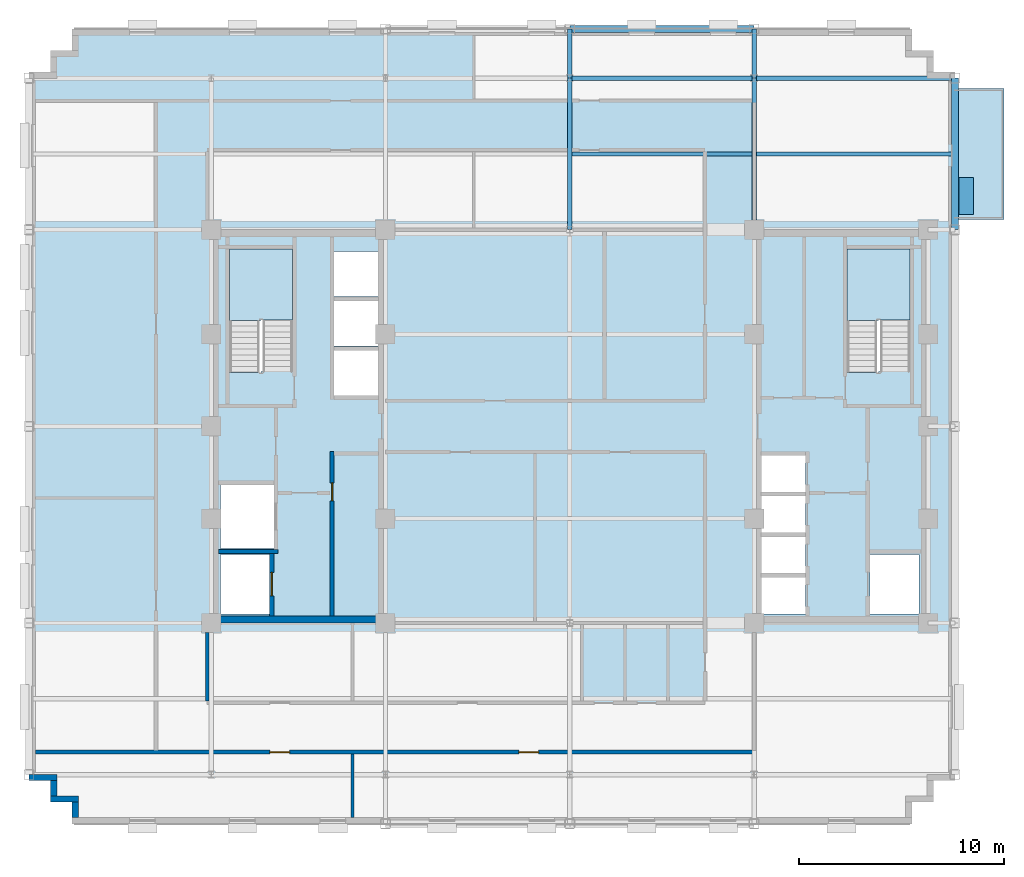
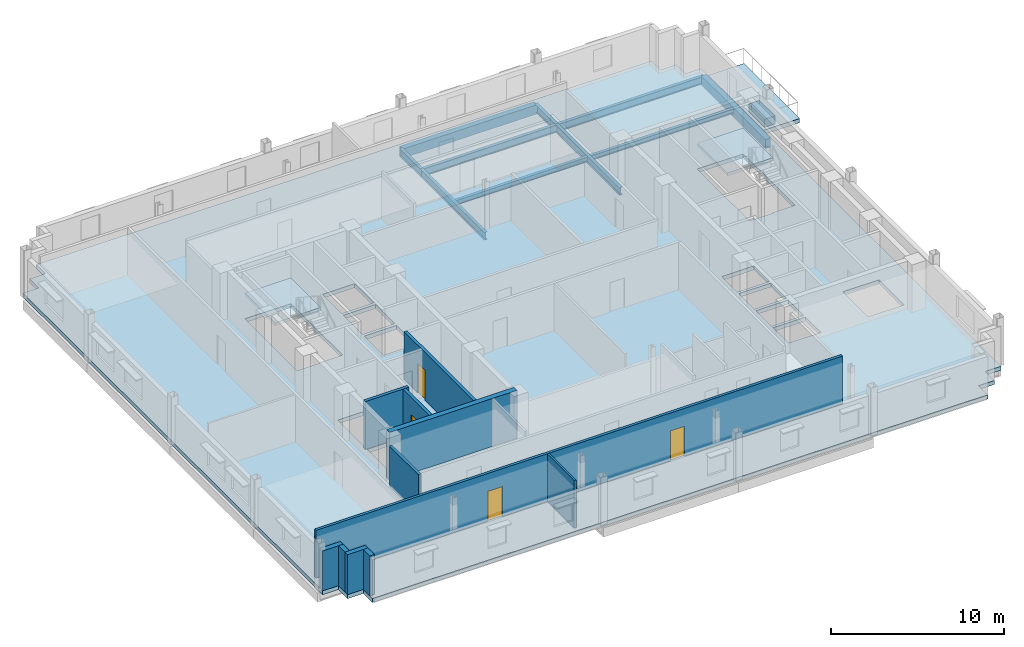
# One storey, part 5 of 13: 11 walls, 10 beams, 4 doors, 4 slabs, 1 plate, 4 openings, 2 elements without a shape of their own.
"""IFC4 building model written with IfcOpenShell, lengths in metres."""

from ifc_helpers import new_model, si_unit, direction, frame, frame_2d, origin, origin_2d, place, context, subcontext, project, spatial, polyline, rectangle, i_section, outline, extrude, source, transform, mapped, material, layer, layer_set, material_profile, profile_set, type_object, type_shapes, element, fill, aggregate, save


model = new_model("IFC4")

# Units and contexts
model_context = context("Model", 3, precision=1e-05, world=origin(), true_north=direction((0.0, 1.0)))
body_context = subcontext(model_context, "Body", "Model", "MODEL_VIEW")
ifc_project = project(units=[si_unit("LENGTHUNIT", "METRE"), si_unit("AREAUNIT", "SQUARE_METRE"), si_unit("VOLUMEUNIT", "CUBIC_METRE"), si_unit("PLANEANGLEUNIT", "RADIAN"), si_unit("MASSUNIT", "GRAM", prefix="KILO")], contexts=[model_context])

# Site, building, storey
site_placement = place(None, origin())
site = spatial("IfcSite", under=ifc_project, at=site_placement, CompositionType="ELEMENT")
building_placement = place(site_placement, origin())
building = spatial("IfcBuilding", under=site, at=building_placement, Name="Nuvemarco Arch Tower", CompositionType="ELEMENT")
storey_placement = place(building_placement, frame((0.0, 0.0, 212.800048828125)))
storey = spatial("IfcBuildingStorey", under=building, at=storey_placement, Name="L56", CompositionType="ELEMENT", Elevation=212.800048828125)

# Beams
ifc_material_1 = material(Name="Steel S355", Category="steel")
ifc_material_profile_1 = material_profile(ifc_material_1, i_section(OverallWidth=0.2109375, OverallDepth=0.5390625, WebThickness=0.01171875, FlangeThickness=0.018798828125, FilletRadius=0.01611328125, at=origin_2d()), Name="W530x109")
ifc_profile_set_1 = profile_set([ifc_material_profile_1], Name="Steel S355")
beam_type_1 = type_object("IfcBeamType", Name="BM-GIRD-530", PredefinedType="BEAM", material=ifc_profile_set_1)
beam_1_placement = place(storey_placement, frame((0.0, 9.60009765625, -0.549560546875), z_axis=(0.0, 1.0, 0.0), x_axis=(-1.0, 0.0, 0.0)))
element("IfcBeam", 1, at=beam_1_placement, inside=storey, type_object=beam_type_1, Name="L56 structural beam BGNS_L56_0_+0.0_+9.6", PredefinedType="BEAM", context=body_context, shape_type="SweptSolid", body=[
    extrude(i_section(OverallWidth=0.2109375, OverallDepth=0.5390625, WebThickness=0.01171875, FlangeThickness=0.018798828125, FilletRadius=0.01611328125, at=origin_2d()), origin(), (0.0, 0.0, 1.0), 7.39990234375),
])
beam_2_placement = place(storey_placement, frame((0.0, 17.0, -0.549560546875), z_axis=(0.0, 1.0, 0.0), x_axis=(-1.0, 0.0, 0.0)))
element("IfcBeam", 2, at=beam_2_placement, inside=storey, type_object=beam_type_1, Name="L56 structural beam BGNS_L56_0_+0.0_+17.0", PredefinedType="BEAM", context=body_context, shape_type="SweptSolid", body=[
    extrude(i_section(OverallWidth=0.2109375, OverallDepth=0.5390625, WebThickness=0.01171875, FlangeThickness=0.018798828125, FilletRadius=0.01611328125, at=origin_2d()), origin(), (0.0, 0.0, 1.0), 2.39990234375),
])
beam_3_placement = place(storey_placement, frame((9.0, 9.60009765625, -0.549560546875), z_axis=(0.0, 1.0, 0.0), x_axis=(-1.0, 0.0, 0.0)))
element("IfcBeam", 3, at=beam_3_placement, inside=storey, type_object=beam_type_1, Name="L56 structural beam BGNS_L56_0_+9.0_+9.6", PredefinedType="BEAM", context=body_context, shape_type="SweptSolid", body=[
    extrude(i_section(OverallWidth=0.2109375, OverallDepth=0.5390625, WebThickness=0.01171875, FlangeThickness=0.018798828125, FilletRadius=0.01611328125, at=origin_2d()), origin(), (0.0, 0.0, 1.0), 7.39990234375),
])
beam_4_placement = place(storey_placement, frame((9.0, 17.0, -0.549560546875), z_axis=(0.0, 1.0, 0.0), x_axis=(-1.0, 0.0, 0.0)))
element("IfcBeam", 4, at=beam_4_placement, inside=storey, type_object=beam_type_1, Name="L56 structural beam BGNS_L56_0_+9.0_+17.0", PredefinedType="BEAM", context=body_context, shape_type="SweptSolid", body=[
    extrude(i_section(OverallWidth=0.2109375, OverallDepth=0.5390625, WebThickness=0.01171875, FlangeThickness=0.018798828125, FilletRadius=0.01611328125, at=origin_2d()), origin(), (0.0, 0.0, 1.0), 2.39990234375),
])
beam_5_placement = place(storey_placement, frame((0.0, 17.0, -0.549560546875), z_axis=(1.0, 0.0, 0.0), x_axis=(0.0, 1.0, 0.0)))
element("IfcBeam", 5, at=beam_5_placement, inside=storey, type_object=beam_type_1, Name="L56 structural beam BGEW_L56_0_+17.0_+0.0", PredefinedType="BEAM", context=body_context, shape_type="SweptSolid", body=[
    extrude(i_section(OverallWidth=0.2109375, OverallDepth=0.5390625, WebThickness=0.01171875, FlangeThickness=0.018798828125, FilletRadius=0.01611328125, at=origin_2d()), origin(), (0.0, 0.0, 1.0), 9.0),
])
beam_6_placement = place(storey_placement, frame((9.0, 17.0, -0.549560546875), z_axis=(1.0, 0.0, 0.0), x_axis=(0.0, 1.0, 0.0)))
element("IfcBeam", 6, at=beam_6_placement, inside=storey, type_object=beam_type_1, Name="L56 structural beam BGEW_L56_0_+17.0_+9.0", PredefinedType="BEAM", context=body_context, shape_type="SweptSolid", body=[
    extrude(i_section(OverallWidth=0.2109375, OverallDepth=0.5390625, WebThickness=0.01171875, FlangeThickness=0.018798828125, FilletRadius=0.01611328125, at=origin_2d()), origin(), (0.0, 0.0, 1.0), 9.800048828125),
])
ifc_material_profile_2 = material_profile(ifc_material_1, i_section(OverallWidth=0.202880859375, OverallDepth=0.346923828125, WebThickness=0.0078125, FlangeThickness=0.013427734375, FilletRadius=0.014892578125, at=origin_2d()), Name="W360x64")
ifc_profile_set_2 = profile_set([ifc_material_profile_2], Name="Steel S355")
beam_type_2 = type_object("IfcBeamType", Name="BM-JOIST-360", PredefinedType="JOIST", material=ifc_profile_set_2)
beam_7_placement = place(storey_placement, frame((0.10546875, 13.300048828125, -0.45361328125), z_axis=(1.0, 0.0, 0.0), x_axis=(0.0, 1.0, 0.0)))
element("IfcBeam", 7, at=beam_7_placement, inside=storey, type_object=beam_type_2, Name="L56 structural beam BJ_L56_0_+13.3_+0.0", PredefinedType="JOIST", context=body_context, shape_type="SweptSolid", body=[
    extrude(i_section(OverallWidth=0.202880859375, OverallDepth=0.346923828125, WebThickness=0.0078125, FlangeThickness=0.013427734375, FilletRadius=0.014892578125, at=origin_2d()), origin(), (0.0, 0.0, 1.0), 8.7890625),
])
beam_8_placement = place(storey_placement, frame((9.10546875, 13.300048828125, -0.45361328125), z_axis=(1.0, 0.0, 0.0), x_axis=(0.0, 1.0, 0.0)))
element("IfcBeam", 8, at=beam_8_placement, inside=storey, type_object=beam_type_2, Name="L56 structural beam BJ_L56_0_+13.3_+9.0", PredefinedType="JOIST", context=body_context, shape_type="SweptSolid", body=[
    extrude(i_section(OverallWidth=0.202880859375, OverallDepth=0.346923828125, WebThickness=0.0078125, FlangeThickness=0.013427734375, FilletRadius=0.014892578125, at=origin_2d()), origin(), (0.0, 0.0, 1.0), 9.51953125),
])
ifc_material_2 = material(Name="Precast concrete C45/55", Category="concrete")
ifc_material_profile_3 = material_profile(ifc_material_2, rectangle(XDim=0.35009765625, YDim=0.64990234375, at=origin_2d()), Name="PC-SP-350x650")
ifc_profile_set_3 = profile_set([ifc_material_profile_3], Name="Precast concrete C45/55")
beam_type_3 = type_object("IfcBeamType", Name="BM-SPAN-RC", PredefinedType="SPANDREL", material=ifc_profile_set_3)
beam_9_placement = place(storey_placement, frame((18.800048828125, 9.60009765625, -0.60498046875), z_axis=(0.0, 1.0, 0.0), x_axis=(-1.0, 0.0, 0.0)))
element("IfcBeam", 9, at=beam_9_placement, inside=storey, type_object=beam_type_3, Name="L56 structural beam BGNS_L56_0_+18.8_+9.6", PredefinedType="SPANDREL", context=body_context, shape_type="SweptSolid", body=[
    extrude(rectangle(XDim=0.35009765625, YDim=0.64990234375, at=origin_2d()), origin(), (0.0, 0.0, 1.0), 7.39990234375),
])
beam_10_placement = place(storey_placement, frame((0.0, 19.39990234375, -0.60498046875), z_axis=(1.0, 0.0, 0.0), x_axis=(0.0, 1.0, 0.0)))
element("IfcBeam", 10, at=beam_10_placement, inside=storey, type_object=beam_type_3, Name="L56 structural beam BGEW_L56_0_+19.4_+0.0", PredefinedType="SPANDREL", context=body_context, shape_type="SweptSolid", body=[
    extrude(rectangle(XDim=0.35009765625, YDim=0.64990234375, at=origin_2d()), origin(), (0.0, 0.0, 1.0), 9.0),
])

# Slab
ifc_material_3 = material(Name="Concrete C50/60", Category="concrete")
ifc_layer_1 = layer(ifc_material_3, 0.280029296875, Name="SL-FLR-280")
ifc_layer_set_1 = layer_set([ifc_layer_1], Name="Concrete C50/60")
slab_type_1 = type_object("IfcSlabType", Name="SL-FLR-280", PredefinedType="FLOOR", material=ifc_layer_set_1)
slab_1_placement = place(storey_placement, frame((0.0, 0.0, -0.280029296875)))
element("IfcSlab", 11, at=slab_1_placement, inside=storey, type_object=slab_type_1, Name="L56 structural floor slab", PredefinedType="FLOOR", context=body_context, shape_type="SweptSolid", body=[
    extrude(outline(polyline([(-24.300048828125, -19.39990234375), (16.699951171875, -19.39990234375), (16.699951171875, -18.35009765625), (17.75, -18.35009765625), (17.75, -17.300048828125), (18.800048828125, -17.300048828125), (18.800048828125, 17.300048828125), (17.75, 17.300048828125), (17.75, 18.35009765625), (16.699951171875, 18.35009765625), (16.699951171875, 19.39990234375), (-24.300048828125, 19.39990234375), (-24.300048828125, 18.35009765625), (-25.35009765625, 18.35009765625), (-25.35009765625, 17.300048828125), (-26.39990234375, 17.300048828125), (-26.39990234375, -17.300048828125), (-25.35009765625, -17.300048828125), (-25.35009765625, -18.35009765625), (-24.300048828125, -18.35009765625), (-24.300048828125, -19.39990234375)]), holes=[polyline([(-13.5400390625, 2.669921875), (-13.5400390625, 8.64990234375), (-16.60009765625, 8.64990234375), (-16.60009765625, 2.630615234375), (-15.070068359375, 2.630615234375), (-15.070068359375, 2.669921875), (-13.5400390625, 2.669921875)]), polyline([(16.60009765625, 2.669921875), (16.60009765625, 8.64990234375), (13.5400390625, 8.64990234375), (13.5400390625, 2.630615234375), (15.070068359375, 2.630615234375), (15.070068359375, 2.669921875), (16.60009765625, 2.669921875)]), polyline([(-17.050048828125, -9.14990234375), (-14.64990234375, -9.14990234375), (-14.64990234375, -6.25), (-17.050048828125, -6.25), (-17.050048828125, -9.14990234375)]), polyline([(-17.050048828125, -5.949951171875), (-14.449951171875, -5.949951171875), (-14.449951171875, -2.85009765625), (-17.050048828125, -2.85009765625), (-17.050048828125, -5.949951171875)]), polyline([(-11.5, 1.5), (-9.35009765625, 1.5), (-9.35009765625, 3.699951171875), (-11.5, 3.699951171875), (-11.5, 1.5)]), polyline([(-11.5, 3.919921875), (-9.35009765625, 3.919921875), (-9.35009765625, 6.1201171875), (-11.5, 6.1201171875), (-11.5, 3.919921875)]), polyline([(-11.5, 6.340087890625), (-9.35009765625, 6.340087890625), (-9.35009765625, 8.5400390625), (-11.5, 8.5400390625), (-11.5, 6.340087890625)]), polyline([(14.64990234375, -9.14990234375), (17.050048828125, -9.14990234375), (17.050048828125, -6.25), (14.64990234375, -6.25), (14.64990234375, -9.14990234375)]), polyline([(9.35009765625, -9.14990234375), (11.5, -9.14990234375), (11.5, -7.3701171875), (9.35009765625, -7.3701171875), (9.35009765625, -9.14990234375)]), polyline([(9.35009765625, -7.169921875), (11.5, -7.169921875), (11.5, -5.389892578125), (9.35009765625, -5.389892578125), (9.35009765625, -7.169921875)]), polyline([(9.35009765625, -5.18994140625), (11.5, -5.18994140625), (11.5, -3.409912109375), (9.35009765625, -3.409912109375), (9.35009765625, -5.18994140625)]), polyline([(9.35009765625, -3.2099609375), (11.5, -3.2099609375), (11.5, -1.429931640625), (9.35009765625, -1.429931640625), (9.35009765625, -3.2099609375)])]), origin(), (0.0, 0.0, 1.0), 0.280029296875),
])

# Stair, slab
stair_type = type_object("IfcStairType", Name="ST-CORE-20R", PredefinedType="HALF_TURN_STAIR", material=ifc_material_2)
stair_1_placement = place(storey_placement, origin())
stair_1 = element("IfcStair", 12, at=stair_1_placement, inside=storey, type_object=stair_type, Name="L56 Protected Exit Stair ST-1", PredefinedType="HALF_TURN_STAIR")
ifc_layer_2 = layer(ifc_material_2, 0.199951171875, Name="SL-LANDING-200")
ifc_layer_set_2 = layer_set([ifc_layer_2], Name="Precast concrete C45/55")
slab_type_2 = type_object("IfcSlabType", Name="SL-LANDING-200", PredefinedType="LANDING", material=ifc_layer_set_2)
slab_2_placement = place(storey_placement, frame((0.0, 0.0, 1.625)))
slab_2 = element("IfcSlab", 13, at=slab_2_placement, type_object=slab_type_2, Name="ST-20R landing 1", PredefinedType="LANDING", context=body_context, shape_type="SweptSolid", body=[
    extrude(outline(polyline([(-13.5400390625, 5.189453125), (-13.5400390625, 8.64990234375), (-16.60009765625, 8.64990234375), (-16.60009765625, 5.169921875), (-15.070068359375, 5.169921875), (-15.070068359375, 5.189453125), (-13.5400390625, 5.189453125)])), origin(), (0.0, 0.0, 1.0), 0.199951171875),
])
aggregate(stair_1, [slab_2])

stair_2_placement = place(storey_placement, origin())
stair_2 = element("IfcStair", 14, at=stair_2_placement, inside=storey, type_object=stair_type, Name="L56 Protected Exit Stair ST-2", PredefinedType="HALF_TURN_STAIR")
slab_3_placement = place(storey_placement, frame((0.0, 0.0, 1.625)))
slab_3 = element("IfcSlab", 15, at=slab_3_placement, type_object=slab_type_2, Name="ST-20R landing 1", PredefinedType="LANDING", context=body_context, shape_type="SweptSolid", body=[
    extrude(outline(polyline([(16.60009765625, 5.189453125), (16.60009765625, 8.64990234375), (13.5400390625, 8.64990234375), (13.5400390625, 5.169921875), (15.070068359375, 5.169921875), (15.070068359375, 5.189453125), (16.60009765625, 5.189453125)])), origin(), (0.0, 0.0, 1.0), 0.199951171875),
])
aggregate(stair_2, [slab_3])

# Slab
ifc_layer_3 = layer(ifc_material_3, 0.294921875, Name="SL-TR4")
ifc_layer_set_3 = layer_set([ifc_layer_3], Name="Concrete C50/60")
slab_type_3 = type_object("IfcSlabType", Name="SL-TR4", PredefinedType="FLOOR", material=ifc_layer_set_3)
slab_4_placement = place(storey_placement, frame((0.0, 0.0, -0.295166015625)))
element("IfcSlab", 16, at=slab_4_placement, inside=storey, type_object=slab_type_3, Name="L56 outdoor spiral terrace slab 1", PredefinedType="FLOOR", context=body_context, shape_type="SweptSolid", body=[
    extrude(outline(polyline([(18.800048828125, 10.10009765625), (21.199951171875, 10.10009765625), (21.199951171875, 16.5), (18.800048828125, 16.5), (18.800048828125, 10.10009765625)])), origin(), (0.0, 0.0, 1.0), 0.295166015625),
])

# Plate
ifc_layer_4 = layer(ifc_material_2, 0.550048828125, Name="Tree Balcony Structural Planter")
ifc_layer_set_4 = layer_set([ifc_layer_4], Name="Precast concrete C45/55")
plate_type = type_object("IfcPlateType", Name="Tree Balcony Structural Planter", PredefinedType="USERDEFINED", material=ifc_layer_set_4)
shared_shape_1 = source(origin(), body_context, "Body", "SweptSolid", [
    extrude(rectangle(XDim=1.800048828125, YDim=0.699951171875, at=origin_2d()), origin(), (0.0, 0.0, 1.0), 0.550048828125),
])
type_shapes(plate_type, [shared_shape_1])
plate_placement = place(storey_placement, frame((19.35009765625, 11.25, 0.0), z_axis=(0.0, 0.0, 1.0), x_axis=(0.0, 1.0, 0.0)))
element("IfcPlate", 17, at=plate_placement, inside=storey, type_object=plate_type, Name="L56 Tree Balcony Structural Planter", ObjectType="PLANTER", PredefinedType="USERDEFINED", context=body_context, shape_type="MappedRepresentation", body=[
    mapped(shared_shape_1, transform((0.0, 0.0, 0.0), scale=1.0)),
])

# Walls
ifc_layer_5 = layer(ifc_material_2, 0.31005859375, Name="EW-UPP-310")
ifc_layer_set_5 = layer_set([ifc_layer_5], Name="Precast concrete C45/55")
wall_type_1 = type_object("IfcWallType", Name="EW-UPP-310", PredefinedType="STANDARD", material=ifc_layer_set_5)
wall_1_placement = place(storey_placement, frame((-26.39990234375, -17.14501953125, 0.0), z_axis=(0.0, 0.0, 1.0), x_axis=(1.0, 0.0, 0.0)))
element("IfcWall", 18, at=wall_1_placement, inside=storey, type_object=wall_type_1, Name="L56 exterior precast facade wall 17", PredefinedType="STANDARD", context=body_context, shape_type="SweptSolid", body=[
    extrude(rectangle(XDim=1.35986328125, YDim=0.31005859375, at=frame_2d((0.679931640625, 0.0))), origin(), (0.0, 0.0, 1.0), 2.81591796875),
])
wall_2_placement = place(storey_placement, frame((-25.195068359375, -18.0439453125, 0.0), z_axis=(0.0, 0.0, 1.0), x_axis=(0.0, 1.0, 0.0)))
element("IfcWall", 19, at=wall_2_placement, inside=storey, type_object=wall_type_1, Name="L56 exterior precast facade wall 18", PredefinedType="STANDARD", context=body_context, shape_type="SweptSolid", body=[
    extrude(rectangle(XDim=0.748046875, YDim=0.31005859375, at=frame_2d((0.3740234375, 0.0))), origin(), (0.0, 0.0, 1.0), 2.81591796875),
])
wall_3_placement = place(storey_placement, frame((-25.35009765625, -18.195068359375, 0.0), z_axis=(0.0, 0.0, 1.0), x_axis=(1.0, 0.0, 0.0)))
element("IfcWall", 20, at=wall_3_placement, inside=storey, type_object=wall_type_1, Name="L56 exterior precast facade wall 19", PredefinedType="STANDARD", context=body_context, shape_type="SweptSolid", body=[
    extrude(rectangle(XDim=1.360107421875, YDim=0.31005859375, at=frame_2d((0.68017578125, 0.0))), origin(), (0.0, 0.0, 1.0), 2.81591796875),
])
wall_4_placement = place(storey_placement, frame((-24.14501953125, -19.093994140625, 0.0), z_axis=(0.0, 0.0, 1.0), x_axis=(0.0, 1.0, 0.0)))
element("IfcWall", 21, at=wall_4_placement, inside=storey, type_object=wall_type_1, Name="L56 exterior precast facade wall 20", PredefinedType="STANDARD", context=body_context, shape_type="SweptSolid", body=[
    extrude(rectangle(XDim=0.748046875, YDim=0.31005859375, at=frame_2d((0.3740234375, 0.0))), origin(), (0.0, 0.0, 1.0), 2.81591796875),
])
ifc_layer_6 = layer(ifc_material_3, 0.35009765625, Name="WL-CORE-350")
ifc_layer_set_6 = layer_set([ifc_layer_6], Name="Concrete C50/60")
wall_type_2 = type_object("IfcWallType", Name="WL-CORE-350", PredefinedType="SHEAR", material=ifc_layer_set_6)
wall_5_placement = place(storey_placement, frame((-17.5, -9.425048828125, 0.0), z_axis=(0.0, 0.0, 1.0), x_axis=(1.0, 0.0, 0.0)))
element("IfcWall", 22, at=wall_5_placement, inside=storey, type_object=wall_type_2, Name="L56 W-core shear wall S", PredefinedType="SHEAR", context=body_context, shape_type="SweptSolid", body=[
    extrude(rectangle(XDim=8.5, YDim=0.35009765625, at=frame_2d((4.25, 0.0))), origin(), (0.0, 0.0, 1.0), 3.369873046875),
])

# Wall, openings, doors
ifc_material_4 = material(Name="Fire-rated gypsum drywall partition")
ifc_layer_7 = layer(ifc_material_4, 0.179931640625, Name="WL-CORR-180")
ifc_layer_set_7 = layer_set([ifc_layer_7], Name="Fire-rated gypsum drywall partition")
wall_type_3 = type_object("IfcWallType", Name="WL-CORR-180", PredefinedType="PARTITIONING", material=ifc_layer_set_7)
wall_6_placement = place(storey_placement, frame((-26.090087890625, -15.89990234375, 0.0), z_axis=(0.0, 0.0, 1.0), x_axis=(1.0, 0.0, 0.0)))
wall_6 = element("IfcWall", 23, at=wall_6_placement, inside=storey, type_object=wall_type_3, Name="L56 interior wall IW-L56-001", PredefinedType="PARTITIONING", context=body_context, shape_type="SweptSolid", body=[
    extrude(rectangle(XDim=35.090087890625, YDim=0.179931640625, at=frame_2d((17.544921875, 0.0))), origin(), (0.0, 0.0, 1.0), 3.35986328125),
])
opening_1_placement = place(wall_6_placement, frame((23.60498046875, 0.0, 0.0)))
opening_1 = element("IfcOpeningElement", 24, at=opening_1_placement, cuts=wall_6, Name="Opening FD-5", PredefinedType="OPENING", context=body_context, shape_type="SweptSolid", body=[
    extrude(rectangle(XDim=0.9599609375, YDim=2.10009765625, at=frame_2d((0.47998046875, 1.050048828125))), frame((0.0, 0.099853515625, 0.0), z_axis=(0.0, -1.0, 0.0), x_axis=(1.0, 0.0, 0.0)), (0.0, 0.0, 1.0), 0.199951171875),
])
opening_2_placement = place(wall_6_placement, frame((11.455078125, 0.0, 0.0)))
opening_2 = element("IfcOpeningElement", 25, at=opening_2_placement, cuts=wall_6, Name="Opening FD-5", PredefinedType="OPENING", context=body_context, shape_type="SweptSolid", body=[
    extrude(rectangle(XDim=0.9599609375, YDim=2.10009765625, at=frame_2d((0.47998046875, 1.050048828125))), frame((0.0, 0.099853515625, 0.0), z_axis=(0.0, -1.0, 0.0), x_axis=(1.0, 0.0, 0.0)), (0.0, 0.0, 1.0), 0.199951171875),
])
ifc_material_5 = material(Name="Timber fire door", Category="wood")
door_type_1 = type_object("IfcDoorType", Name="DR-CORR-FD", OperationType="NOTDEFINED", PredefinedType="DOOR", material=ifc_material_5)
shared_shape_2 = source(origin(), body_context, "Body", "SweptSolid", [
    extrude(rectangle(XDim=0.9599609375, YDim=2.10009765625, at=frame_2d((0.47998046875, 1.050048828125))), frame((0.0, 0.02490234375, 0.0), z_axis=(0.0, -1.0, 0.0), x_axis=(1.0, 0.0, 0.0)), (0.0, 0.0, 1.0), 0.050048828125),
])
type_shapes(door_type_1, [shared_shape_2])
door_1_placement = place(opening_1_placement, origin())
door_1 = element("IfcDoor", 26, at=door_1_placement, inside=storey, type_object=door_type_1, Name="L56 door DR-L56-S_2", OperationType="SINGLE_SWING_RIGHT", OverallHeight=2.10009765625, OverallWidth=0.9599609375, PredefinedType="DOOR", context=body_context, shape_type="MappedRepresentation", body=[
    mapped(shared_shape_2, transform((0.0, 0.0, 0.0), scale=1.0)),
])
fill(opening_1, door_1)
door_2_placement = place(opening_2_placement, origin())
door_2 = element("IfcDoor", 27, at=door_2_placement, inside=storey, type_object=door_type_1, Name="L56 door DR-L56-S_1", OperationType="SINGLE_SWING_RIGHT", OverallHeight=2.10009765625, OverallWidth=0.9599609375, PredefinedType="DOOR", context=body_context, shape_type="MappedRepresentation", body=[
    mapped(shared_shape_2, transform((0.0, 0.0, 0.0), scale=1.0)),
])
fill(opening_2, door_2)

# Walls
wall_7_placement = place(storey_placement, frame((-17.699951171875, -13.4140625, 0.0), z_axis=(0.0, 0.0, 1.0), x_axis=(0.0, 1.0, 0.0)))
element("IfcWall", 28, at=wall_7_placement, inside=storey, type_object=wall_type_3, Name="L56 interior wall IW-L56-013", PredefinedType="PARTITIONING", context=body_context, shape_type="SweptSolid", body=[
    extrude(rectangle(XDim=3.343017578125, YDim=0.179931640625, at=frame_2d((1.67138671875, 0.0))), origin(), (0.0, 0.0, 1.0), 2.81591796875),
])
ifc_material_6 = material(Name="Gypsum plasterboard partition")
ifc_layer_8 = layer(ifc_material_6, 0.139892578125, Name="WL-ROOM-140")
ifc_layer_set_8 = layer_set([ifc_layer_8], Name="Gypsum plasterboard partition")
wall_type_4 = type_object("IfcWallType", Name="WL-ROOM-140", PredefinedType="PARTITIONING", material=ifc_layer_set_8)
wall_8_placement = place(storey_placement, frame((-10.610107421875, -19.090087890625, 0.0), z_axis=(0.0, 0.0, 1.0), x_axis=(0.0, 1.0, 0.0)))
element("IfcWall", 29, at=wall_8_placement, inside=storey, type_object=wall_type_4, Name="L56 interior wall IW-L56-015", PredefinedType="PARTITIONING", context=body_context, shape_type="SweptSolid", body=[
    extrude(rectangle(XDim=3.10400390625, YDim=0.139892578125, at=frame_2d((1.552001953125, 0.0))), origin(), (0.0, 0.0, 1.0), 3.35986328125),
])

# Wall, opening, door
ifc_layer_9 = layer(ifc_material_3, 0.199951171875, Name="WL-SHAFT-220")
ifc_layer_set_9 = layer_set([ifc_layer_9], Name="Concrete C50/60")
wall_type_5 = type_object("IfcWallType", Name="WL-SHAFT-220", PredefinedType="SHEAR", material=ifc_layer_set_9)
wall_9_placement = place(storey_placement, frame((-14.550048828125, -9.2548828125, 0.0), z_axis=(0.0, 0.0, 1.0), x_axis=(0.0, 1.0, 0.0)))
wall_9 = element("IfcWall", 30, at=wall_9_placement, inside=storey, type_object=wall_type_5, Name="L56 structural shaft wall SW-L56-W-SHE", PredefinedType="SHEAR", context=body_context, shape_type="SweptSolid", body=[
    extrude(rectangle(XDim=3.059814453125, YDim=0.199951171875, at=frame_2d((1.52978515625, 0.0))), origin(), (0.0, 0.0, 1.0), 3.369873046875),
])
opening_3_placement = place(wall_9_placement, frame((0.97998046875, 0.0, 0.0)))
opening_3 = element("IfcOpeningElement", 31, at=opening_3_placement, cuts=wall_9, Name="Opening LD-2", PredefinedType="OPENING", context=body_context, shape_type="SweptSolid", body=[
    extrude(rectangle(XDim=1.14990234375, YDim=2.14990234375, at=frame_2d((0.574951171875, 1.074951171875))), frame((0.0, 0.10986328125, 0.0), z_axis=(0.0, -1.0, 0.0), x_axis=(1.0, 0.0, 0.0)), (0.0, 0.0, 1.0), 0.219970703125),
])
ifc_material_7 = material(Name="Stainless steel lift door", Category="steel")
door_type_2 = type_object("IfcDoorType", Name="DR-LIFT-FIRE", OperationType="DOUBLE_DOOR_SLIDING", PredefinedType="DOOR", material=ifc_material_7)
shared_shape_3 = source(origin(), body_context, "Body", "SweptSolid", [
    extrude(rectangle(XDim=1.14990234375, YDim=2.14990234375, at=frame_2d((0.574951171875, 1.074951171875))), frame((0.0, 0.02490234375, 0.0), z_axis=(0.0, -1.0, 0.0), x_axis=(1.0, 0.0, 0.0)), (0.0, 0.0, 1.0), 0.050048828125),
])
type_shapes(door_type_2, [shared_shape_3])
door_3_placement = place(opening_3_placement, origin())
door_3 = element("IfcDoor", 32, at=door_3_placement, inside=storey, type_object=door_type_2, Name="L56 Lift landing sliding door FFL-1", OperationType="DOUBLE_DOOR_SLIDING", OverallHeight=2.14990234375, OverallWidth=1.14990234375, PredefinedType="DOOR", context=body_context, shape_type="MappedRepresentation", body=[
    mapped(shared_shape_3, transform((0.0, 0.0, 0.0), scale=1.0)),
])
fill(opening_3, door_3)

# Wall
wall_10_placement = place(storey_placement, frame((-17.155029296875, -6.10009765625, 0.0), z_axis=(0.0, 0.0, 1.0), x_axis=(1.0, 0.0, 0.0)))
element("IfcWall", 33, at=wall_10_placement, inside=storey, type_object=wall_type_5, Name="L56 structural shaft wall SW-L56-W-SH1", PredefinedType="SHEAR", context=body_context, shape_type="SweptSolid", body=[
    extrude(rectangle(XDim=2.905029296875, YDim=0.199951171875, at=frame_2d((1.45263671875, 0.0))), origin(), (0.0, 0.0, 1.0), 3.369873046875),
])

# Wall, opening, door
wall_11_placement = place(storey_placement, frame((-11.60009765625, -9.2548828125, 0.0), z_axis=(0.0, 0.0, 1.0), x_axis=(0.0, 1.0, 0.0)))
wall_11 = element("IfcWall", 34, at=wall_11_placement, inside=storey, type_object=wall_type_5, Name="L56 structural shaft wall SW-L56-W-PLW", PredefinedType="SHEAR", context=body_context, shape_type="SweptSolid", body=[
    extrude(rectangle(XDim=8.02490234375, YDim=0.199951171875, at=frame_2d((4.012451171875, 0.0))), origin(), (0.0, 0.0, 1.0), 3.369873046875),
])
opening_4_placement = place(wall_11_placement, frame((5.614990234375, 0.0, 0.0)))
opening_4 = element("IfcOpeningElement", 35, at=opening_4_placement, cuts=wall_11, Name="Opening FD-4", PredefinedType="OPENING", context=body_context, shape_type="SweptSolid", body=[
    extrude(rectangle(XDim=0.8798828125, YDim=2.10009765625, at=frame_2d((0.43994140625, 1.050048828125))), frame((0.0, 0.10986328125, 0.0), z_axis=(0.0, -1.0, 0.0), x_axis=(1.0, 0.0, 0.0)), (0.0, 0.0, 1.0), 0.219970703125),
])
ifc_material_8 = material(Name="Anodised steel fire door", Category="steel")
door_type_3 = type_object("IfcDoorType", Name="DR-RISER-FD", OperationType="NOTDEFINED", PredefinedType="DOOR", material=ifc_material_8)
shared_shape_4 = source(origin(), body_context, "Body", "SweptSolid", [
    extrude(rectangle(XDim=0.8798828125, YDim=2.10009765625, at=frame_2d((0.43994140625, 1.050048828125))), frame((0.0, 0.02490234375, 0.0), z_axis=(0.0, -1.0, 0.0), x_axis=(1.0, 0.0, 0.0)), (0.0, 0.0, 1.0), 0.050048828125),
])
type_shapes(door_type_3, [shared_shape_4])
door_4_placement = place(opening_4_placement, origin())
door_4 = element("IfcDoor", 36, at=door_4_placement, inside=storey, type_object=door_type_3, Name="L56 door FD-L56-WREC1", OperationType="SINGLE_SWING_LEFT", OverallHeight=2.10009765625, OverallWidth=0.8798828125, PredefinedType="DOOR", context=body_context, shape_type="MappedRepresentation", body=[
    mapped(shared_shape_4, transform((0.0, 0.0, 0.0), scale=1.0)),
])
fill(opening_4, door_4)

save(model, "model.ifc")
